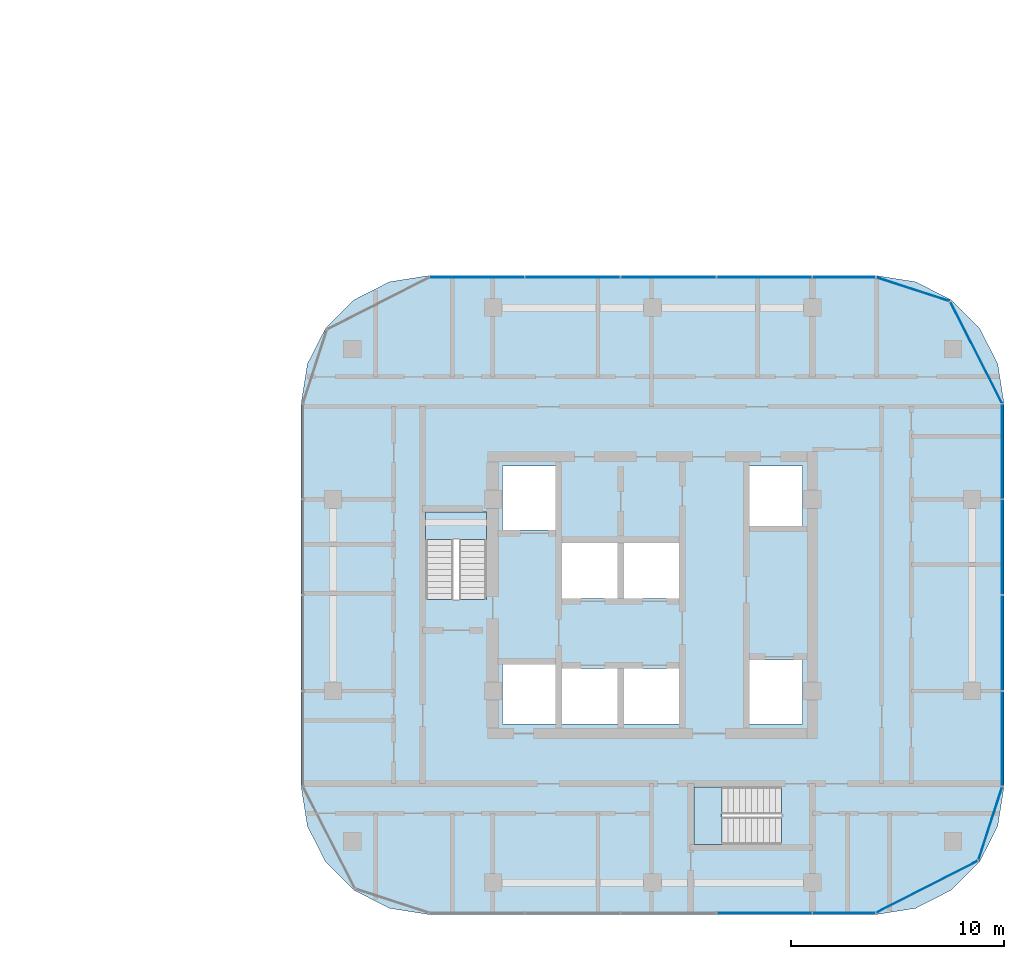
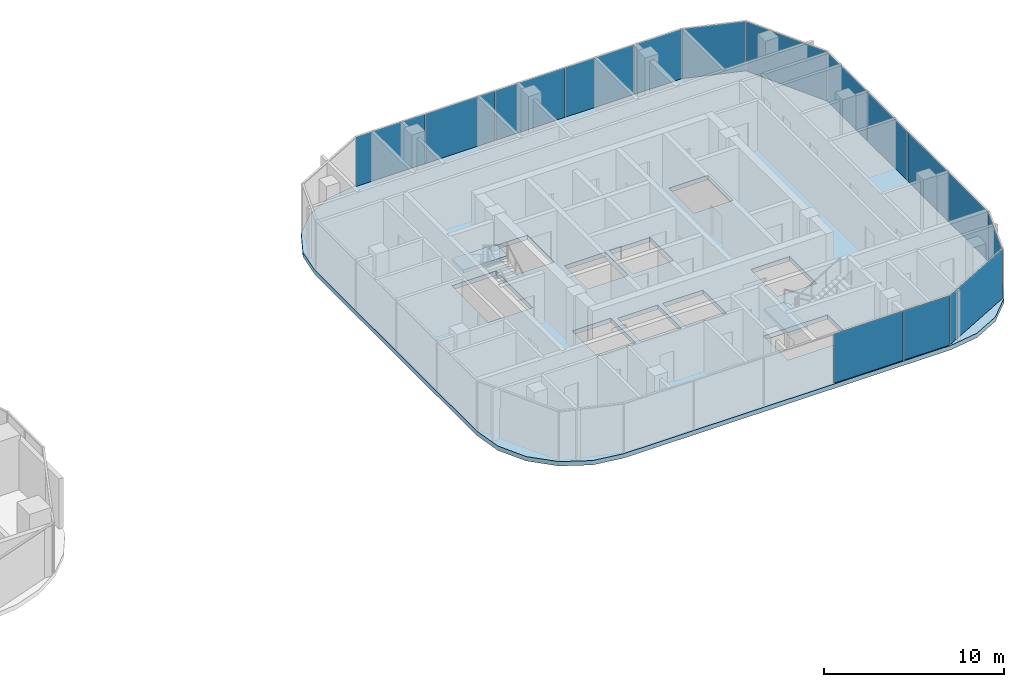
# One storey, part 15 of 33: 15 plates, 3 slabs, 7 elements without a shape of their own.
"""IFC4 building model written with IfcOpenShell, lengths in metres."""

from ifc_helpers import new_model, si_unit, direction, frame, origin, origin_2d, place, context, subcontext, project, spatial, polyline, rectangle, outline, extrude, material, layer, layer_set, type_object, element, aggregate, save


model = new_model("IFC4")

# Units and contexts
model_context = context("Model", 3, precision=1e-05, world=origin(), true_north=direction((0.0, 1.0)))
body_context = subcontext(model_context, "Body", "Model", "MODEL_VIEW")
ifc_project = project(units=[si_unit("LENGTHUNIT", "METRE"), si_unit("AREAUNIT", "SQUARE_METRE"), si_unit("VOLUMEUNIT", "CUBIC_METRE"), si_unit("PLANEANGLEUNIT", "RADIAN"), si_unit("MASSUNIT", "GRAM", prefix="KILO")], contexts=[model_context])

# Site, building, storey
site_placement = place(None, origin())
site = spatial("IfcSite", under=ifc_project, at=site_placement, CompositionType="ELEMENT")
building_placement = place(site_placement, origin())
building = spatial("IfcBuilding", under=site, at=building_placement, Name="Ogive Portal Towers", CompositionType="ELEMENT")
storey_placement = place(building_placement, frame((0.0, 0.0, 77.89990234375)))
storey = spatial("IfcBuildingStorey", under=building, at=storey_placement, Name="L18", CompositionType="ELEMENT", Elevation=77.89990234375)

# Curtain wall, plates
ifc_material_1 = material(Name="Glass, clear low-iron insulated glazing", Category="glass")
curtain_wall_type = type_object("IfcCurtainWallType", Name="CW RESIDENCES RIBBON", PredefinedType="NOTDEFINED", material=ifc_material_1)
curtain_wall_1_placement = place(storey_placement, origin())
curtain_wall_1 = element("IfcCurtainWall", 1, at=curtain_wall_1_placement, inside=storey, type_object=curtain_wall_type, Name="B:L18:f02:cw0", PredefinedType="NOTDEFINED")
ifc_layer_1 = layer(ifc_material_1, 0.028076171875)
ifc_layer_set_1 = layer_set([ifc_layer_1], Name="CW PANEL IGU 28")
plate_type = type_object("IfcPlateType", Name="CW PANEL IGU 28", PredefinedType="CURTAIN_PANEL", material=ifc_layer_set_1)
plate_1_placement = place(storey_placement, frame((141.75, 16.080078125, 0.0), z_axis=(0.0, 0.0, 1.0), x_axis=(1.0, 0.0, 0.0)))
plate_1 = element("IfcPlate", 2, at=plate_1_placement, type_object=plate_type, Name="panel", PredefinedType="CURTAIN_PANEL", context=body_context, shape_type="SweptSolid", body=[
    extrude(rectangle(XDim=4.43994140625, YDim=0.028076171875, at=origin_2d()), origin(), (0.0, 0.0, 1.0), 3.340087890625),
])
plate_2_placement = place(storey_placement, frame((145.490478515625, 16.080078125, 0.0), z_axis=(0.0, 0.0, 1.0), x_axis=(1.0, 0.0, 0.0)))
plate_2 = element("IfcPlate", 3, at=plate_2_placement, type_object=plate_type, Name="panel", PredefinedType="CURTAIN_PANEL", context=body_context, shape_type="SweptSolid", body=[
    extrude(rectangle(XDim=2.9208984375, YDim=0.028076171875, at=origin_2d()), origin(), (0.0, 0.0, 1.0), 3.340087890625),
])
aggregate(curtain_wall_1, [plate_1, plate_2])

curtain_wall_2_placement = place(storey_placement, origin())
curtain_wall_2 = element("IfcCurtainWall", 4, at=curtain_wall_2_placement, inside=storey, type_object=curtain_wall_type, Name="B:L18:f05:cw0", PredefinedType="NOTDEFINED")
plate_3_placement = place(storey_placement, frame((152.919921875, 24.25634765625, 0.0), z_axis=(0.0, 0.0, 1.0), x_axis=(0.0, 1.0, 0.0)))
plate_3 = element("IfcPlate", 5, at=plate_3_placement, type_object=plate_type, Name="panel", PredefinedType="CURTAIN_PANEL", context=body_context, shape_type="SweptSolid", body=[
    extrude(rectangle(XDim=4.42724609375, YDim=0.028076171875, at=origin_2d()), origin(), (0.0, 0.0, 1.0), 3.340087890625),
])
plate_4_placement = place(storey_placement, frame((152.919921875, 28.75, 0.0), z_axis=(0.0, 0.0, 1.0), x_axis=(0.0, 1.0, 0.0)))
plate_4 = element("IfcPlate", 6, at=plate_4_placement, type_object=plate_type, Name="panel", PredefinedType="CURTAIN_PANEL", context=body_context, shape_type="SweptSolid", body=[
    extrude(rectangle(XDim=4.43994140625, YDim=0.028076171875, at=origin_2d()), origin(), (0.0, 0.0, 1.0), 3.340087890625),
])
plate_5_placement = place(storey_placement, frame((152.919921875, 33.25, 0.0), z_axis=(0.0, 0.0, 1.0), x_axis=(0.0, 1.0, 0.0)))
plate_5 = element("IfcPlate", 7, at=plate_5_placement, type_object=plate_type, Name="panel", PredefinedType="CURTAIN_PANEL", context=body_context, shape_type="SweptSolid", body=[
    extrude(rectangle(XDim=4.43994140625, YDim=0.028076171875, at=origin_2d()), origin(), (0.0, 0.0, 1.0), 3.340087890625),
])
plate_6_placement = place(storey_placement, frame((152.919921875, 37.740478515625, 0.0), z_axis=(0.0, 0.0, 1.0), x_axis=(0.0, 1.0, 0.0)))
plate_6 = element("IfcPlate", 8, at=plate_6_placement, type_object=plate_type, Name="panel", PredefinedType="CURTAIN_PANEL", context=body_context, shape_type="SweptSolid", body=[
    extrude(rectangle(XDim=4.4208984375, YDim=0.028076171875, at=origin_2d()), origin(), (0.0, 0.0, 1.0), 3.340087890625),
])
aggregate(curtain_wall_2, [plate_3, plate_4, plate_5, plate_6])

curtain_wall_3_placement = place(storey_placement, origin())
curtain_wall_3 = element("IfcCurtainWall", 9, at=curtain_wall_3_placement, inside=storey, type_object=curtain_wall_type, Name="B:L18:f08:cw0", PredefinedType="NOTDEFINED")
plate_7_placement = place(storey_placement, frame((145.49365234375, 45.919921875, 0.0), z_axis=(0.0, 0.0, 1.0), x_axis=(-1.0, 0.0, 0.0)))
plate_7 = element("IfcPlate", 10, at=plate_7_placement, type_object=plate_type, Name="panel", PredefinedType="CURTAIN_PANEL", context=body_context, shape_type="SweptSolid", body=[
    extrude(rectangle(XDim=2.92724609375, YDim=0.028076171875, at=origin_2d()), origin(), (0.0, 0.0, 1.0), 3.340087890625),
])
plate_8_placement = place(storey_placement, frame((141.75, 45.919921875, 0.0), z_axis=(0.0, 0.0, 1.0), x_axis=(-1.0, 0.0, 0.0)))
plate_8 = element("IfcPlate", 11, at=plate_8_placement, type_object=plate_type, Name="panel", PredefinedType="CURTAIN_PANEL", context=body_context, shape_type="SweptSolid", body=[
    extrude(rectangle(XDim=4.43994140625, YDim=0.028076171875, at=origin_2d()), origin(), (0.0, 0.0, 1.0), 3.340087890625),
])
plate_9_placement = place(storey_placement, frame((137.25, 45.919921875, 0.0), z_axis=(0.0, 0.0, 1.0), x_axis=(-1.0, 0.0, 0.0)))
plate_9 = element("IfcPlate", 12, at=plate_9_placement, type_object=plate_type, Name="panel", PredefinedType="CURTAIN_PANEL", context=body_context, shape_type="SweptSolid", body=[
    extrude(rectangle(XDim=4.43994140625, YDim=0.028076171875, at=origin_2d()), origin(), (0.0, 0.0, 1.0), 3.340087890625),
])
plate_10_placement = place(storey_placement, frame((132.75, 45.919921875, 0.0), z_axis=(0.0, 0.0, 1.0), x_axis=(-1.0, 0.0, 0.0)))
plate_10 = element("IfcPlate", 13, at=plate_10_placement, type_object=plate_type, Name="panel", PredefinedType="CURTAIN_PANEL", context=body_context, shape_type="SweptSolid", body=[
    extrude(rectangle(XDim=4.43994140625, YDim=0.028076171875, at=origin_2d()), origin(), (0.0, 0.0, 1.0), 3.340087890625),
])
plate_11_placement = place(storey_placement, frame((128.259521484375, 45.919921875, 0.0), z_axis=(0.0, 0.0, 1.0), x_axis=(-1.0, 0.0, 0.0)))
plate_11 = element("IfcPlate", 14, at=plate_11_placement, type_object=plate_type, Name="panel", PredefinedType="CURTAIN_PANEL", context=body_context, shape_type="SweptSolid", body=[
    extrude(rectangle(XDim=4.4208984375, YDim=0.028076171875, at=origin_2d()), origin(), (0.0, 0.0, 1.0), 3.340087890625),
])
aggregate(curtain_wall_3, [plate_7, plate_8, plate_9, plate_10, plate_11])

curtain_wall_4_placement = place(storey_placement, origin())
curtain_wall_4 = element("IfcCurtainWall", 15, at=curtain_wall_4_placement, inside=storey, type_object=curtain_wall_type, Name="B:L18:f03:cwa", PredefinedType="NOTDEFINED")
plate_12_placement = place(storey_placement, frame((149.384521484375, 17.3046875, 0.0), z_axis=(0.0, 0.0, 1.0), x_axis=(0.891006524188, 0.45399049974, 0.0)))
plate_12 = element("IfcPlate", 16, at=plate_12_placement, type_object=plate_type, Name="panel", PredefinedType="CURTAIN_PANEL", context=body_context, shape_type="SweptSolid", body=[
    extrude(rectangle(XDim=5.33544921875, YDim=0.028076171875, at=origin_2d()), origin(), (0.0, 0.0, 1.0), 3.340087890625),
])
plate_13_placement = place(storey_placement, frame((152.354248046875, 20.27099609375, 0.0), z_axis=(0.0, 0.0, 1.0), x_axis=(0.309016994375, 0.951056516295, 0.0)))
plate_13 = element("IfcPlate", 17, at=plate_13_placement, type_object=plate_type, Name="panel", PredefinedType="CURTAIN_PANEL", context=body_context, shape_type="SweptSolid", body=[
    extrude(rectangle(XDim=3.602294921875, YDim=0.028076171875, at=origin_2d()), origin(), (0.0, 0.0, 1.0), 3.340087890625),
])
aggregate(curtain_wall_4, [plate_12, plate_13])

curtain_wall_5_placement = place(storey_placement, origin())
curtain_wall_5 = element("IfcCurtainWall", 18, at=curtain_wall_5_placement, inside=storey, type_object=curtain_wall_type, Name="B:L18:f06:cwa", PredefinedType="NOTDEFINED")
plate_14_placement = place(storey_placement, frame((151.6953125, 42.384521484375, 0.0), z_axis=(0.0, 0.0, 1.0), x_axis=(-0.45399049974, 0.891006524188, 0.0)))
plate_14 = element("IfcPlate", 19, at=plate_14_placement, type_object=plate_type, Name="panel", PredefinedType="CURTAIN_PANEL", context=body_context, shape_type="SweptSolid", body=[
    extrude(rectangle(XDim=5.33544921875, YDim=0.028076171875, at=origin_2d()), origin(), (0.0, 0.0, 1.0), 3.340087890625),
])
plate_15_placement = place(storey_placement, frame((148.72900390625, 45.354248046875, 0.0), z_axis=(0.0, 0.0, 1.0), x_axis=(-0.951056516295, 0.309016994375, 0.0)))
plate_15 = element("IfcPlate", 20, at=plate_15_placement, type_object=plate_type, Name="panel", PredefinedType="CURTAIN_PANEL", context=body_context, shape_type="SweptSolid", body=[
    extrude(rectangle(XDim=3.602294921875, YDim=0.028076171875, at=origin_2d()), origin(), (0.0, 0.0, 1.0), 3.340087890625),
])
aggregate(curtain_wall_5, [plate_14, plate_15])

# Stair, slab
ifc_material_2 = material(Name="Concrete C40/50", Category="concrete")
stair_type = type_object("IfcStairType", Name="INT-STAIR", PredefinedType="HALF_TURN_STAIR", material=ifc_material_2)
stair_1_placement = place(storey_placement, origin())
stair_1 = element("IfcStair", 21, at=stair_1_placement, inside=storey, type_object=stair_type, Name="L18 Exit Stair ST-B1", PredefinedType="HALF_TURN_STAIR")
ifc_layer_2 = layer(ifc_material_2, 0.199951171875)
ifc_layer_set_2 = layer_set([ifc_layer_2], Name="INT-LANDING")
slab_type_1 = type_object("IfcSlabType", Name="INT-LANDING", PredefinedType="LANDING", material=ifc_layer_set_2)
slab_1_placement = place(storey_placement, frame((0.0, 0.0, 1.650146484375)))
slab_1 = element("IfcSlab", 22, at=slab_1_placement, type_object=slab_type_1, Name="ST-B1 landing 1", PredefinedType="LANDING", context=body_context, shape_type="SweptSolid", body=[
    extrude(outline(polyline([(128.699951171875, 33.60009765625), (128.699951171875, 34.89990234375), (125.85009765625, 34.89990234375), (125.85009765625, 33.60009765625), (128.699951171875, 33.60009765625)])), origin(), (0.0, 0.0, 1.0), 0.199951171875),
])
aggregate(stair_1, [slab_1])

stair_2_placement = place(storey_placement, origin())
stair_2 = element("IfcStair", 23, at=stair_2_placement, inside=storey, type_object=stair_type, Name="L18 Exit Stair ST-B2", PredefinedType="HALF_TURN_STAIR")
slab_2_placement = place(storey_placement, frame((0.0, 0.0, 1.650146484375)))
slab_2 = element("IfcSlab", 24, at=slab_2_placement, type_object=slab_type_1, Name="ST-B2 landing 1", PredefinedType="LANDING", context=body_context, shape_type="SweptSolid", body=[
    extrude(outline(polyline([(139.75, 22.0), (138.449951171875, 22.0), (138.449951171875, 19.300048828125), (139.75, 19.300048828125), (139.75, 22.0)])), origin(), (0.0, 0.0, 1.0), 0.199951171875),
])
aggregate(stair_2, [slab_2])

# Slab
ifc_material_3 = material(Name="Concrete C45/55", Category="concrete")
ifc_layer_3 = layer(ifc_material_3, 0.300048828125)
ifc_layer_set_3 = layer_set([ifc_layer_3], Name="PT FLAT PLATE 300")
slab_type_2 = type_object("IfcSlabType", Name="PT FLAT PLATE 300", PredefinedType="FLOOR", material=ifc_layer_set_3)
slab_3_placement = place(storey_placement, frame((0.0, 0.0, -0.2998046875)))
element("IfcSlab", 25, at=slab_3_placement, inside=storey, type_object=slab_type_2, Name="Floor slab L18", PredefinedType="FLOOR", context=body_context, shape_type="SweptSolid", body=[
    extrude(outline(polyline([(120.0, 40.0), (120.0, 22.0), (120.293701171875, 20.14599609375), (121.14599609375, 18.473388671875), (122.473388671875, 17.14599609375), (124.14599609375, 16.293701171875), (126.0, 16.0), (147.0, 16.0), (148.85400390625, 16.293701171875), (150.526611328125, 17.14599609375), (151.85400390625, 18.473388671875), (152.706298828125, 20.14599609375), (153.0, 22.0), (153.0, 40.0), (152.706298828125, 41.85400390625), (151.85400390625, 43.526611328125), (150.526611328125, 44.85400390625), (148.85400390625, 45.706298828125), (147.0, 46.0), (126.0, 46.0), (124.14599609375, 45.706298828125), (122.473388671875, 44.85400390625), (121.14599609375, 43.526611328125), (120.293701171875, 41.85400390625), (120.0, 40.0)]), holes=[polyline([(131.949951171875, 27.75), (131.949951171875, 24.949951171875), (129.449951171875, 24.949951171875), (129.449951171875, 27.75), (131.949951171875, 27.75)]), polyline([(128.697998046875, 34.89794921875), (128.697998046875, 30.802001953125), (125.85205078125, 30.802001953125), (125.85205078125, 34.89794921875), (128.697998046875, 34.89794921875)]), polyline([(131.949951171875, 37.050048828125), (131.949951171875, 34.050048828125), (129.449951171875, 34.050048828125), (129.449951171875, 37.050048828125), (131.949951171875, 37.050048828125)]), polyline([(138.451904296875, 21.998046875), (142.548095703125, 21.998046875), (142.548095703125, 19.302001953125), (138.451904296875, 19.302001953125), (138.451904296875, 21.998046875)]), polyline([(134.85009765625, 27.550048828125), (134.85009765625, 24.949951171875), (132.25, 24.949951171875), (132.25, 27.550048828125), (134.85009765625, 27.550048828125)]), polyline([(137.75, 27.550048828125), (137.75, 24.949951171875), (135.14990234375, 24.949951171875), (135.14990234375, 27.550048828125), (137.75, 27.550048828125)]), polyline([(143.550048828125, 27.949951171875), (143.550048828125, 24.949951171875), (141.050048828125, 24.949951171875), (141.050048828125, 27.949951171875), (143.550048828125, 27.949951171875)]), polyline([(134.85009765625, 33.449951171875), (134.85009765625, 30.85009765625), (132.25, 30.85009765625), (132.25, 33.449951171875), (134.85009765625, 33.449951171875)]), polyline([(137.75, 33.449951171875), (137.75, 30.85009765625), (135.14990234375, 30.85009765625), (135.14990234375, 33.449951171875), (137.75, 33.449951171875)]), polyline([(141.050048828125, 37.050048828125), (143.550048828125, 37.050048828125), (143.550048828125, 34.25), (141.050048828125, 34.25), (141.050048828125, 37.050048828125)])]), origin(), (0.0, 0.0, 1.0), 0.2998046875),
])

save(model, "model.ifc")
